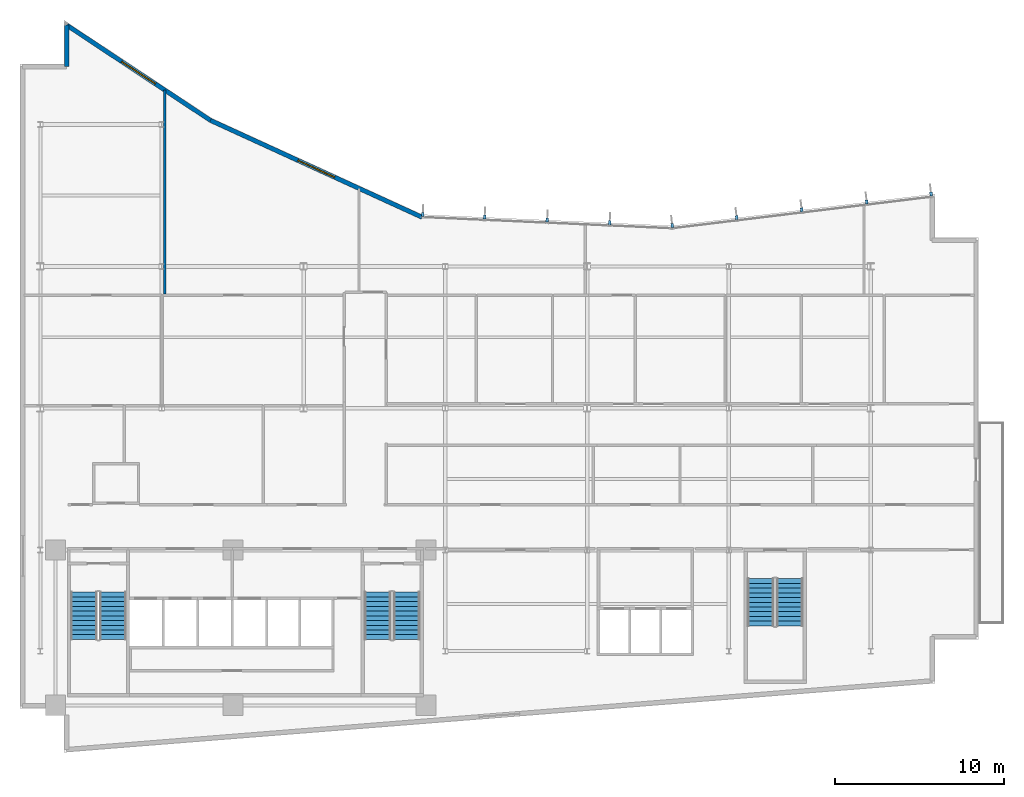
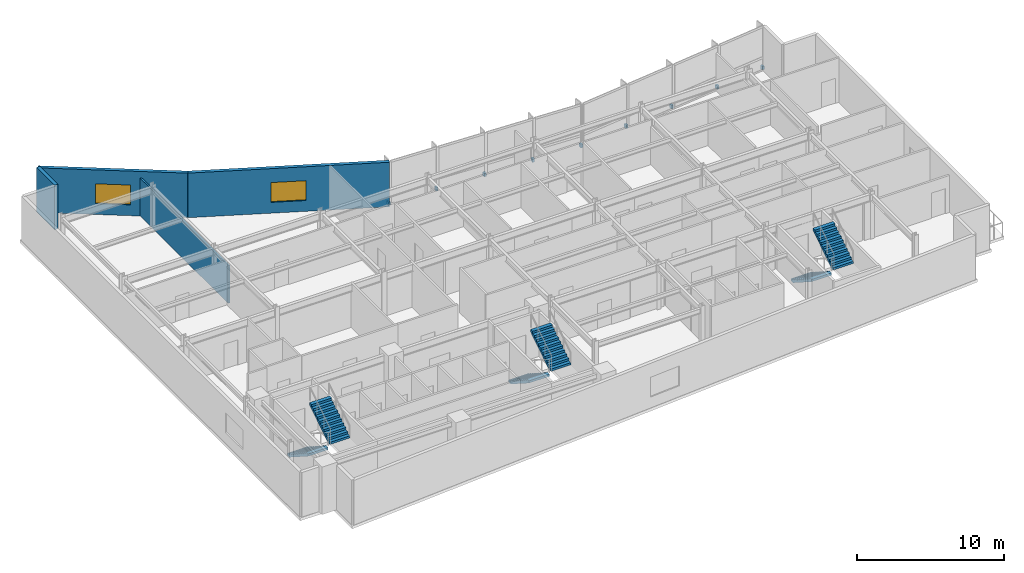
# One storey, part 12 of 17: 9 discrete accessories, 6 stair flights, 4 walls, 2 windows, 2 openings, 3 elements without a shape of their own.
"""IFC4 building model written with IfcOpenShell, lengths in metres."""

from ifc_helpers import new_model, si_unit, direction, frame, frame_2d, origin, origin_2d, place, context, subcontext, project, spatial, polyline, rectangle, outline, extrude, material, layer, layer_set, type_object, element, fill, aggregate, save


model = new_model("IFC4")

# Units and contexts
model_context = context("Model", 3, precision=1e-05, world=origin(), true_north=direction((0.0, 1.0)))
body_context = subcontext(model_context, "Body", "Model", "MODEL_VIEW")
ifc_project = project(units=[si_unit("LENGTHUNIT", "METRE"), si_unit("AREAUNIT", "SQUARE_METRE"), si_unit("VOLUMEUNIT", "CUBIC_METRE"), si_unit("PLANEANGLEUNIT", "RADIAN"), si_unit("MASSUNIT", "GRAM", prefix="KILO")], contexts=[model_context])

# Site, building, storey
site_placement = place(None, origin())
site = spatial("IfcSite", under=ifc_project, at=site_placement, CompositionType="ELEMENT")
building_placement = place(site_placement, origin())
building = spatial("IfcBuilding", under=site, at=building_placement, Name="Varnakote Quay Hospital", CompositionType="ELEMENT")
storey_placement = place(building_placement, frame((0.0, 0.0, 131.0)))
storey = spatial("IfcBuildingStorey", under=building, at=storey_placement, Name="L32", CompositionType="ELEMENT", Elevation=131.0)

# Wall, opening, window
ifc_material_1 = material(Name="Precast concrete N50 (f'c 50 MPa)", Category="concrete")
ifc_layer_1 = layer(ifc_material_1, 0.260009765625)
ifc_layer_set_1 = layer_set([ifc_layer_1], Name="Precast concrete N50 (f'c 50 MPa)")
wall_type_1 = type_object("IfcWallType", Name="WL-EXT-BRICK-260", PredefinedType="STANDARD", material=ifc_layer_set_1)
wall_1_placement = place(storey_placement, frame((23.817626953125, 31.715576171875, 0.0), z_axis=(0.0, 0.0, 1.0), x_axis=(-0.909209527513, 0.416338846471, 0.0)))
wall_1 = element("IfcWall", 1, at=wall_1_placement, inside=storey, type_object=wall_type_1, Name="L32 Brick-Faced Precast Exterior Wall", PredefinedType="STANDARD", context=body_context, shape_type="SweptSolid", body=[
    extrude(rectangle(XDim=13.787353515625, YDim=0.260009765625, at=frame_2d((6.8935546875, 0.0))), origin(), (0.0, 0.0, 1.0), 3.7099609375),
])
opening_1_placement = place(wall_1_placement, frame((5.693603515625, 0.0, 0.89990234375)))
opening_1 = element("IfcOpeningElement", 2, at=opening_1_placement, cuts=wall_1, Name="Opening WN-0139", PredefinedType="OPENING", context=body_context, shape_type="SweptSolid", body=[
    extrude(rectangle(XDim=2.39990234375, YDim=1.64990234375, at=frame_2d((1.199951171875, 0.824951171875))), frame((0.0, 0.139892578125, 0.0), z_axis=(0.0, -1.0, 0.0), x_axis=(1.0, 0.0, 0.0)), (0.0, 0.0, 1.0), 0.280029296875),
])
ifc_material_2 = material(Name="Double-glazed low-E solar glass", Category="glass")
window_type = type_object("IfcWindowType", Name="WIN-CLIN-2400x1650", PartitioningType="SINGLE_PANEL", PredefinedType="WINDOW", material=ifc_material_2)
window_1_placement = place(opening_1_placement, origin())
window_1 = element("IfcWindow", 3, at=window_1_placement, inside=storey, type_object=window_type, Name="L32 Solar-Control Clinical Window", OverallHeight=1.64990234375, OverallWidth=2.39990234375, PartitioningType="SINGLE_PANEL", PredefinedType="WINDOW", context=body_context, shape_type="SweptSolid", body=[
    extrude(rectangle(XDim=2.39990234375, YDim=1.64990234375, at=frame_2d((1.199951171875, 0.824951171875))), frame((0.0, 0.030029296875, 0.0), z_axis=(0.0, -1.0, 0.0), x_axis=(1.0, 0.0, 0.0)), (0.0, 0.0, 1.0), 0.06005859375),
])
fill(opening_1, window_1)

wall_2_placement = place(storey_placement, frame((11.281982421875, 37.455810546875, 0.0), z_axis=(0.0, 0.0, 1.0), x_axis=(-0.833630474253, 0.552322580017, 0.0)))
wall_2 = element("IfcWall", 4, at=wall_2_placement, inside=storey, type_object=wall_type_1, Name="L32 Brick-Faced Precast Exterior Wall", PredefinedType="STANDARD", context=body_context, shape_type="SweptSolid", body=[
    extrude(rectangle(XDim=10.22265625, YDim=0.260009765625, at=frame_2d((5.111328125, 0.0))), origin(), (0.0, 0.0, 1.0), 3.7099609375),
])
opening_2_placement = place(wall_2_placement, frame((3.911376953125, 0.0, 0.89990234375)))
opening_2 = element("IfcOpeningElement", 5, at=opening_2_placement, cuts=wall_2, Name="Opening WN-0140", PredefinedType="OPENING", context=body_context, shape_type="SweptSolid", body=[
    extrude(rectangle(XDim=2.39990234375, YDim=1.64990234375, at=frame_2d((1.199951171875, 0.824951171875))), frame((0.0, 0.139892578125, 0.0), z_axis=(0.0, -1.0, 0.0), x_axis=(1.0, 0.0, 0.0)), (0.0, 0.0, 1.0), 0.280029296875),
])
window_2_placement = place(opening_2_placement, origin())
window_2 = element("IfcWindow", 6, at=window_2_placement, inside=storey, type_object=window_type, Name="L32 Solar-Control Clinical Window", OverallHeight=1.64990234375, OverallWidth=2.39990234375, PartitioningType="SINGLE_PANEL", PredefinedType="WINDOW", context=body_context, shape_type="SweptSolid", body=[
    extrude(rectangle(XDim=2.39990234375, YDim=1.64990234375, at=frame_2d((1.199951171875, 0.824951171875))), frame((0.0, 0.030029296875, 0.0), z_axis=(0.0, -1.0, 0.0), x_axis=(1.0, 0.0, 0.0)), (0.0, 0.0, 1.0), 0.06005859375),
])
fill(opening_2, window_2)

# Walls
wall_3_placement = place(storey_placement, frame((2.760009765625, 43.10205078125, 0.0), z_axis=(0.0, 0.0, 1.0), x_axis=(0.0, -1.0, 0.0)))
element("IfcWall", 7, at=wall_3_placement, inside=storey, type_object=wall_type_1, Name="L32 Brick-Faced Precast Exterior Wall", PredefinedType="STANDARD", context=body_context, shape_type="SweptSolid", body=[
    extrude(rectangle(XDim=2.462158203125, YDim=0.260009765625, at=frame_2d((1.23095703125, 0.0))), origin(), (0.0, 0.0, 1.0), 3.7099609375),
])
ifc_material_3 = material(Name="Smoke-proof clinical partition", Category="gypsum")
ifc_layer_2 = layer(ifc_material_3, 0.135009765625)
ifc_layer_set_2 = layer_set([ifc_layer_2], Name="Smoke-proof clinical partition")
wall_type_2 = type_object("IfcWallType", Name="WL-SMOKE-135", PredefinedType="PARTITIONING", material=ifc_layer_set_2)
wall_4_placement = place(storey_placement, frame((8.570068359375, 27.157470703125, 0.0), z_axis=(0.0, 0.0, 1.0), x_axis=(0.0, 1.0, 0.0)))
element("IfcWall", 8, at=wall_4_placement, inside=storey, type_object=wall_type_2, Name="L32 Clinical Interior Partition", PredefinedType="PARTITIONING", context=body_context, shape_type="SweptSolid", body=[
    extrude(rectangle(XDim=12.09521484375, YDim=0.135009765625, at=frame_2d((6.047607421875, 0.0))), origin(), (0.0, 0.0, 1.0), 3.152099609375),
])

# Stair, stair flights
ifc_material_4 = material(Name="Concrete N40 (f'c 40 MPa)", Category="concrete")
stair_type = type_object("IfcStairType", Name="STR-CORE-1580", PredefinedType="HALF_TURN_STAIR", material=ifc_material_4)
stair_1_placement = place(storey_placement, origin())
stair_1 = element("IfcStair", 9, at=stair_1_placement, inside=storey, type_object=stair_type, Name="L32 Fire-Isolated Exit Stair ST-01", PredefinedType="HALF_TURN_STAIR")
ifc_material_5 = material(Name="Concrete N40 (f'c 40 MPa)", Category="concrete")
ifc_layer_3 = layer(ifc_material_5, 0.159912109375)
ifc_layer_set_3 = layer_set([ifc_layer_3], Name="Concrete N40 (f'c 40 MPa)")
stair_flight_type = type_object("IfcStairFlightType", Name="FLT-CORE-1580", PredefinedType="STRAIGHT", material=ifc_layer_set_3)
stair_flight_1_placement = place(storey_placement, frame((3.7900390625, 9.5, 0.0), z_axis=(0.0, 0.0, 1.0), x_axis=(0.0, -1.0, 0.0)))
stair_flight_1 = element("IfcStairFlight", 10, at=stair_flight_1_placement, type_object=stair_flight_type, Name="ST-01 flight 1", NumberOfRisers=11, NumberOfTreads=10, PredefinedType="STRAIGHT", RiserHeight=0.179545455, TreadLength=0.28, context=body_context, shape_type="SweptSolid", body=[
    extrude(outline(polyline([(0.0, 0.0), (0.0, 0.179443359375), (0.280029296875, 0.179443359375), (0.280029296875, 0.359130859375), (0.56005859375, 0.359130859375), (0.56005859375, 0.53857421875), (0.840087890625, 0.53857421875), (0.840087890625, 0.71826171875), (1.1201171875, 0.71826171875), (1.1201171875, 0.897705078125), (1.39990234375, 0.897705078125), (1.39990234375, 1.077392578125), (1.679931640625, 1.077392578125), (1.679931640625, 1.2568359375), (1.9599609375, 1.2568359375), (1.9599609375, 1.436279296875), (2.239990234375, 1.436279296875), (2.239990234375, 1.615966796875), (2.52001953125, 1.615966796875), (2.52001953125, 1.79541015625), (2.800048828125, 1.79541015625), (2.800048828125, 1.97509765625), (2.800048828125, 1.60546875), (0.296142578125, 0.0), (0.0, 0.0)])), frame((0.0, 0.7900390625, 0.0), z_axis=(0.0, -1.0, 0.0), x_axis=(1.0, 0.0, 0.0)), (0.0, 0.0, 1.0), 1.580078125),
])
stair_flight_2_placement = place(storey_placement, frame((5.510009765625, 6.699951171875, 1.97509765625), z_axis=(0.0, 0.0, 1.0), x_axis=(0.0, 1.0, 0.0)))
stair_flight_2 = element("IfcStairFlight", 11, at=stair_flight_2_placement, type_object=stair_flight_type, Name="ST-01 flight 2", NumberOfRisers=11, NumberOfTreads=10, PredefinedType="STRAIGHT", RiserHeight=0.179545455, TreadLength=0.28, context=body_context, shape_type="SweptSolid", body=[
    extrude(outline(polyline([(0.0, 0.0), (0.0, 0.179443359375), (0.280029296875, 0.179443359375), (0.280029296875, 0.359130859375), (0.56005859375, 0.359130859375), (0.56005859375, 0.53857421875), (0.840087890625, 0.53857421875), (0.840087890625, 0.71826171875), (1.1201171875, 0.71826171875), (1.1201171875, 0.897705078125), (1.39990234375, 0.897705078125), (1.39990234375, 1.077392578125), (1.679931640625, 1.077392578125), (1.679931640625, 1.2568359375), (1.9599609375, 1.2568359375), (1.9599609375, 1.436279296875), (2.239990234375, 1.436279296875), (2.239990234375, 1.615966796875), (2.52001953125, 1.615966796875), (2.52001953125, 1.79541015625), (2.800048828125, 1.79541015625), (2.800048828125, 1.97509765625), (2.800048828125, 1.60546875), (0.296142578125, 0.0), (0.0, 0.0)])), frame((0.0, 0.7900390625, 0.0), z_axis=(0.0, -1.0, 0.0), x_axis=(1.0, 0.0, 0.0)), (0.0, 0.0, 1.0), 1.580078125),
])
aggregate(stair_1, [stair_flight_1, stair_flight_2])

stair_2_placement = place(storey_placement, origin())
stair_2 = element("IfcStair", 12, at=stair_2_placement, inside=storey, type_object=stair_type, Name="L32 Fire-Isolated Exit Stair ST-02", PredefinedType="HALF_TURN_STAIR")
stair_flight_3_placement = place(storey_placement, frame((21.18994140625, 9.5, 0.0), z_axis=(0.0, 0.0, 1.0), x_axis=(0.0, -1.0, 0.0)))
stair_flight_3 = element("IfcStairFlight", 13, at=stair_flight_3_placement, type_object=stair_flight_type, Name="ST-02 flight 1", NumberOfRisers=11, NumberOfTreads=10, PredefinedType="STRAIGHT", RiserHeight=0.179545455, TreadLength=0.28, context=body_context, shape_type="SweptSolid", body=[
    extrude(outline(polyline([(0.0, 0.0), (0.0, 0.179443359375), (0.280029296875, 0.179443359375), (0.280029296875, 0.359130859375), (0.56005859375, 0.359130859375), (0.56005859375, 0.53857421875), (0.840087890625, 0.53857421875), (0.840087890625, 0.71826171875), (1.1201171875, 0.71826171875), (1.1201171875, 0.897705078125), (1.39990234375, 0.897705078125), (1.39990234375, 1.077392578125), (1.679931640625, 1.077392578125), (1.679931640625, 1.2568359375), (1.9599609375, 1.2568359375), (1.9599609375, 1.436279296875), (2.239990234375, 1.436279296875), (2.239990234375, 1.615966796875), (2.52001953125, 1.615966796875), (2.52001953125, 1.79541015625), (2.800048828125, 1.79541015625), (2.800048828125, 1.97509765625), (2.800048828125, 1.60546875), (0.296142578125, 0.0), (0.0, 0.0)])), frame((0.0, 0.7900390625, 0.0), z_axis=(0.0, -1.0, 0.0), x_axis=(1.0, 0.0, 0.0)), (0.0, 0.0, 1.0), 1.580078125),
])
stair_flight_4_placement = place(storey_placement, frame((22.909912109375, 6.699951171875, 1.97509765625), z_axis=(0.0, 0.0, 1.0), x_axis=(0.0, 1.0, 0.0)))
stair_flight_4 = element("IfcStairFlight", 14, at=stair_flight_4_placement, type_object=stair_flight_type, Name="ST-02 flight 2", NumberOfRisers=11, NumberOfTreads=10, PredefinedType="STRAIGHT", RiserHeight=0.179545455, TreadLength=0.28, context=body_context, shape_type="SweptSolid", body=[
    extrude(outline(polyline([(0.0, 0.0), (0.0, 0.179443359375), (0.280029296875, 0.179443359375), (0.280029296875, 0.359130859375), (0.56005859375, 0.359130859375), (0.56005859375, 0.53857421875), (0.840087890625, 0.53857421875), (0.840087890625, 0.71826171875), (1.1201171875, 0.71826171875), (1.1201171875, 0.897705078125), (1.39990234375, 0.897705078125), (1.39990234375, 1.077392578125), (1.679931640625, 1.077392578125), (1.679931640625, 1.2568359375), (1.9599609375, 1.2568359375), (1.9599609375, 1.436279296875), (2.239990234375, 1.436279296875), (2.239990234375, 1.615966796875), (2.52001953125, 1.615966796875), (2.52001953125, 1.79541015625), (2.800048828125, 1.79541015625), (2.800048828125, 1.97509765625), (2.800048828125, 1.60546875), (0.296142578125, 0.0), (0.0, 0.0)])), frame((0.0, 0.7900390625, 0.0), z_axis=(0.0, -1.0, 0.0), x_axis=(1.0, 0.0, 0.0)), (0.0, 0.0, 1.0), 1.580078125),
])
aggregate(stair_2, [stair_flight_3, stair_flight_4])

stair_3_placement = place(storey_placement, origin())
stair_3 = element("IfcStair", 15, at=stair_3_placement, inside=storey, type_object=stair_type, Name="L32 Fire-Isolated Exit Stair ST-03", PredefinedType="HALF_TURN_STAIR")
stair_flight_5_placement = place(storey_placement, frame((43.889892578125, 10.300048828125, 0.0), z_axis=(0.0, 0.0, 1.0), x_axis=(0.0, -1.0, 0.0)))
stair_flight_5 = element("IfcStairFlight", 16, at=stair_flight_5_placement, type_object=stair_flight_type, Name="ST-03 flight 1", NumberOfRisers=11, NumberOfTreads=10, PredefinedType="STRAIGHT", RiserHeight=0.179545455, TreadLength=0.28, context=body_context, shape_type="SweptSolid", body=[
    extrude(outline(polyline([(0.0, 0.0), (0.0, 0.179443359375), (0.280029296875, 0.179443359375), (0.280029296875, 0.359130859375), (0.56005859375, 0.359130859375), (0.56005859375, 0.53857421875), (0.840087890625, 0.53857421875), (0.840087890625, 0.71826171875), (1.1201171875, 0.71826171875), (1.1201171875, 0.897705078125), (1.39990234375, 0.897705078125), (1.39990234375, 1.077392578125), (1.679931640625, 1.077392578125), (1.679931640625, 1.2568359375), (1.9599609375, 1.2568359375), (1.9599609375, 1.436279296875), (2.239990234375, 1.436279296875), (2.239990234375, 1.615966796875), (2.52001953125, 1.615966796875), (2.52001953125, 1.79541015625), (2.800048828125, 1.79541015625), (2.800048828125, 1.97509765625), (2.800048828125, 1.60546875), (0.296142578125, 0.0), (0.0, 0.0)])), frame((0.0, 0.7900390625, 0.0), z_axis=(0.0, -1.0, 0.0), x_axis=(1.0, 0.0, 0.0)), (0.0, 0.0, 1.0), 1.580078125),
])
stair_flight_6_placement = place(storey_placement, frame((45.610107421875, 7.5, 1.97509765625), z_axis=(0.0, 0.0, 1.0), x_axis=(0.0, 1.0, 0.0)))
stair_flight_6 = element("IfcStairFlight", 17, at=stair_flight_6_placement, type_object=stair_flight_type, Name="ST-03 flight 2", NumberOfRisers=11, NumberOfTreads=10, PredefinedType="STRAIGHT", RiserHeight=0.179545455, TreadLength=0.28, context=body_context, shape_type="SweptSolid", body=[
    extrude(outline(polyline([(0.0, 0.0), (0.0, 0.179443359375), (0.280029296875, 0.179443359375), (0.280029296875, 0.359130859375), (0.56005859375, 0.359130859375), (0.56005859375, 0.53857421875), (0.840087890625, 0.53857421875), (0.840087890625, 0.71826171875), (1.1201171875, 0.71826171875), (1.1201171875, 0.897705078125), (1.39990234375, 0.897705078125), (1.39990234375, 1.077392578125), (1.679931640625, 1.077392578125), (1.679931640625, 1.2568359375), (1.9599609375, 1.2568359375), (1.9599609375, 1.436279296875), (2.239990234375, 1.436279296875), (2.239990234375, 1.615966796875), (2.52001953125, 1.615966796875), (2.52001953125, 1.79541015625), (2.800048828125, 1.79541015625), (2.800048828125, 1.97509765625), (2.800048828125, 1.60546875), (0.296142578125, 0.0), (0.0, 0.0)])), frame((0.0, 0.7900390625, 0.0), z_axis=(0.0, -1.0, 0.0), x_axis=(1.0, 0.0, 0.0)), (0.0, 0.0, 1.0), 1.580078125),
])
aggregate(stair_3, [stair_flight_5, stair_flight_6])

# Discrete accessories
ifc_material_6 = material(Name="Anodised aluminium 6063-T6 Bronze", Category="aluminium")
discrete_accessory_type = type_object("IfcDiscreteAccessoryType", Name="ACC-FIN-BRACKET-180", PredefinedType="BRACKET", material=ifc_material_6)
for number, where, z_axis, x_axis, name in (
    (18, (53.982421875, 33.083740234375, 0.0), (0.0, 0.0, 1.0), (-0.992736358975, -0.120310105847, 0.0), "L32 Curtain Wall Fin Fixing Bracket"),
    (19, (50.1669921875, 32.62109375, 0.0), (0.0, 0.0, 1.0), (-0.992736358975, -0.120310105847, 0.0), "L32 Curtain Wall Fin Fixing Bracket"),
    (20, (46.314697265625, 32.154296875, 0.0), (0.0, 0.0, 1.0), (-0.992736358975, -0.120310105847, 0.0), "L32 Curtain Wall Fin Fixing Bracket"),
    (21, (42.462158203125, 31.687255859375, 0.0), (0.0, 0.0, 1.0), (-0.992736358975, -0.120310105847, 0.0), "L32 Curtain Wall Fin Fixing Bracket"),
    (22, (38.64697265625, 31.224853515625, 0.0), (0.0, 0.0, 1.0), (-0.992736358975, -0.120310105847, 0.0), "L32 Curtain Wall Fin Fixing Bracket"),
    (23, (34.9345703125, 31.387451171875, 0.0), (0.0, 0.0, 1.0), (-0.998994184858, 0.044839922168, 0.0), "L32 Curtain Wall Fin Fixing Bracket"),
    (24, (31.2314453125, 31.553466796875, 0.0), (0.0, 0.0, 1.0), (-0.998994184858, 0.044839922168, 0.0), "L32 Curtain Wall Fin Fixing Bracket"),
    (25, (27.5283203125, 31.719482421875, 0.0), (0.0, 0.0, 1.0), (-0.998994184858, 0.044839922168, 0.0), "L32 Curtain Wall Fin Fixing Bracket"),
    (26, (23.86279296875, 31.8837890625, 0.0), (0.0, 0.0, 1.0), (-0.998994184858, 0.044839922168, 0.0), "L32 Curtain Wall Fin Fixing Bracket"),
):
    element("IfcDiscreteAccessory", number, at=place(storey_placement, frame(where, z_axis=z_axis, x_axis=x_axis)), inside=storey, type_object=discrete_accessory_type, Name=name, PredefinedType="BRACKET", context=body_context, shape_type="SweptSolid", body=[
        extrude(rectangle(XDim=0.159912109375, YDim=0.239990234375, at=origin_2d()), origin(), (0.0, 0.0, 1.0), 0.280029296875),
    ])

save(model, "model.ifc")
